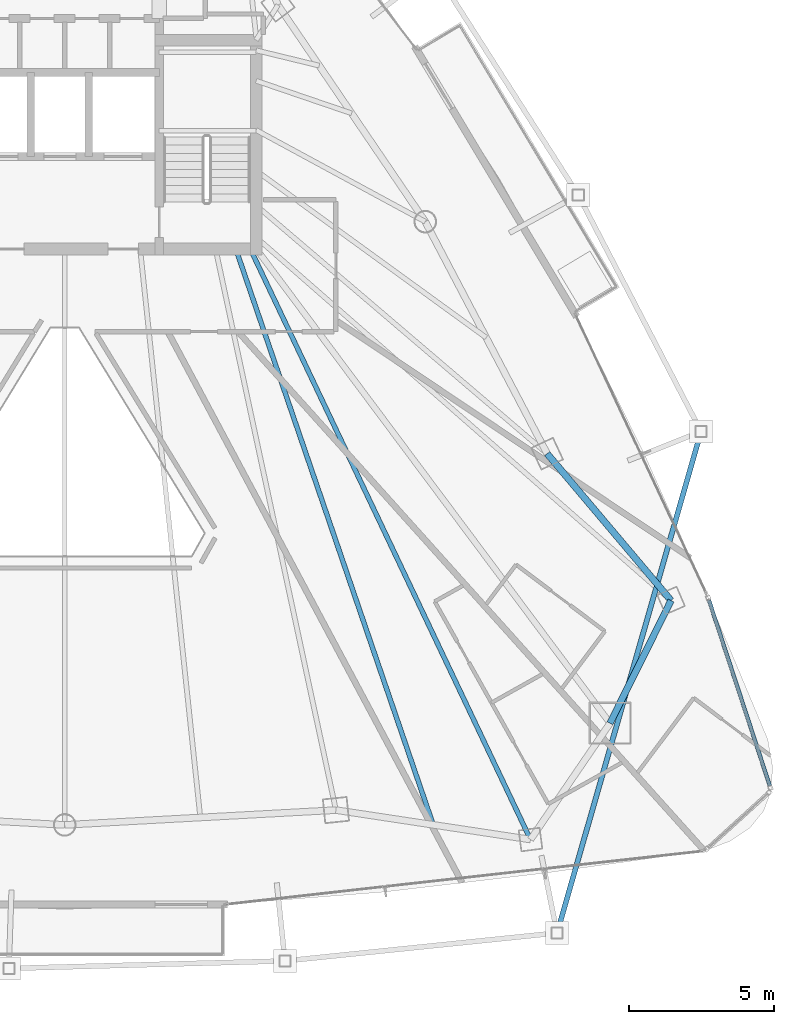
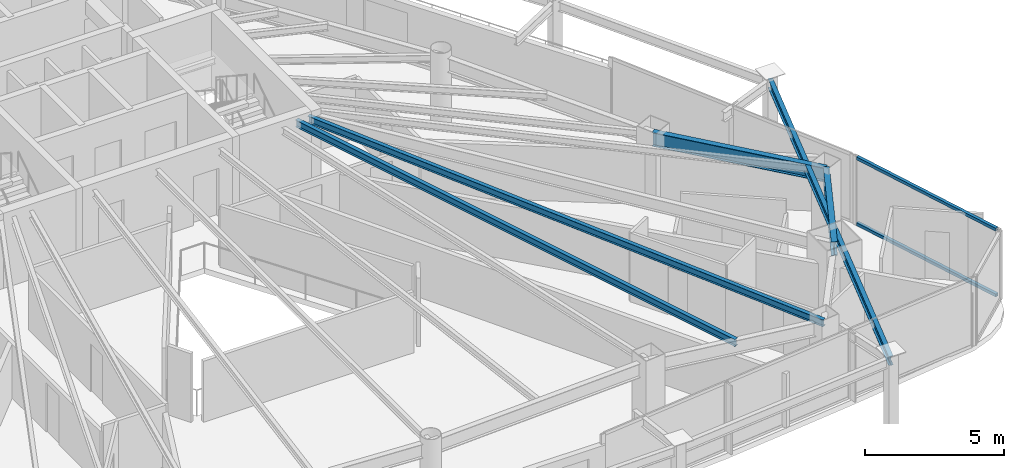
# One storey, part 16 of 31: 5 beams, 2 members, 1 element without a shape of its own.
"""IFC4 building model written with IfcOpenShell, lengths in metres."""

from ifc_helpers import new_model, si_unit, direction, frame, origin, origin_2d, place, context, subcontext, project, spatial, hollow_rectangle, i_section, extrude, material, layer, layer_set, material_profile, profile_set, type_object, element, aggregate, save


model = new_model("IFC4")

# Units and contexts
model_context = context("Model", 3, precision=1e-05, world=origin(), true_north=direction((0.0, 1.0)))
body_context = subcontext(model_context, "Body", "Model", "MODEL_VIEW")
ifc_project = project(units=[si_unit("LENGTHUNIT", "METRE"), si_unit("AREAUNIT", "SQUARE_METRE"), si_unit("VOLUMEUNIT", "CUBIC_METRE"), si_unit("PLANEANGLEUNIT", "RADIAN"), si_unit("MASSUNIT", "GRAM", prefix="KILO")], contexts=[model_context])

# Site, building, storey
site_placement = place(None, origin())
site = spatial("IfcSite", under=ifc_project, at=site_placement, CompositionType="ELEMENT")
building_placement = place(site_placement, origin())
building = spatial("IfcBuilding", under=site, at=building_placement, Name="Orvanel Arch Residences", CompositionType="ELEMENT")
storey_placement = place(building_placement, frame((0.0, 0.0, 183.64990234375)))
storey = spatial("IfcBuildingStorey", under=building, at=storey_placement, Name="L52", CompositionType="ELEMENT", Elevation=183.64990234375)

# Beams
ifc_material_1 = material(Name="Structural steel AS/NZS 3679.1 Grade 300 (300 MPa)", Category="steel")
ifc_material_profile_1 = material_profile(ifc_material_1, i_section(OverallWidth=0.1650390625, OverallDepth=0.303955078125, WebThickness=0.006103515625, FlangeThickness=0.01025390625, at=origin_2d()), Name="310UB40.4")
ifc_profile_set_1 = profile_set([ifc_material_profile_1], Name="Structural steel AS/NZS 3679.1 Grade 300 (300 MPa)")
beam_type_1 = type_object("IfcBeamType", Name="BJ-310UB", PredefinedType="JOIST", material=ifc_profile_set_1)
beam_1_placement = place(storey_placement, frame((39.39990234375, 26.699951171875, 2.8681640625), z_axis=(0.428614365266, -0.903487534993, 0.0), x_axis=(0.903487534993, 0.428614365266, 0.0)))
element("IfcBeam", 1, at=beam_1_placement, inside=storey, type_object=beam_type_1, Name="L52 MSE Wing Floor Joist", PredefinedType="JOIST", context=body_context, shape_type="SweptSolid", body=[
    extrude(i_section(OverallWidth=0.1650390625, OverallDepth=0.303955078125, WebThickness=0.006103515625, FlangeThickness=0.01025390625, at=origin_2d()), origin(), (0.0, 0.0, 1.0), 22.535888671875),
])
beam_2_placement = place(storey_placement, frame((38.89990234375, 26.699951171875, 2.8681640625), z_axis=(0.324257108963, -0.945968988544, 0.0), x_axis=(0.945968988544, 0.324257108963, 0.0)))
element("IfcBeam", 2, at=beam_2_placement, inside=storey, type_object=beam_type_1, Name="L52 JADD2 Wing Floor Joist", PredefinedType="JOIST", context=body_context, shape_type="SweptSolid", body=[
    extrude(i_section(OverallWidth=0.1650390625, OverallDepth=0.303955078125, WebThickness=0.006103515625, FlangeThickness=0.01025390625, at=origin_2d()), origin(), (0.0, 0.0, 1.0), 20.987060546875),
])
ifc_material_profile_2 = material_profile(ifc_material_1, i_section(OverallWidth=0.177978515625, OverallDepth=0.406005859375, WebThickness=0.0078125, FlangeThickness=0.0126953125, at=origin_2d()), Name="410UB59.7")
ifc_profile_set_2 = profile_set([ifc_material_profile_2], Name="Structural steel AS/NZS 3679.1 Grade 300 (300 MPa)")
beam_type_2 = type_object("IfcBeamType", Name="OB-410UB-EXT", PredefinedType="SPANDREL", material=ifc_profile_set_2)
beam_3_placement = place(storey_placement, frame((49.97509765625, 3.118896484375, 2.817138671875), z_axis=(0.276025957266, 0.961150181249, 0.0), x_axis=(-0.961150181249, 0.276025957266, 0.0)))
element("IfcBeam", 3, at=beam_3_placement, inside=storey, type_object=beam_type_2, Name="L52 Outer Perimeter Floor Ring Beam 08", PredefinedType="SPANDREL", context=body_context, shape_type="SweptSolid", body=[
    extrude(i_section(OverallWidth=0.177978515625, OverallDepth=0.406005859375, WebThickness=0.0078125, FlangeThickness=0.0126953125, at=origin_2d()), origin(), (0.0, 0.0, 1.0), 17.98681640625),
])
ifc_material_profile_3 = material_profile(ifc_material_1, i_section(OverallWidth=0.22900390625, OverallDepth=0.612060546875, WebThickness=0.011962890625, FlangeThickness=0.01953125, at=origin_2d()), Name="610UB125")
ifc_profile_set_3 = profile_set([ifc_material_profile_3], Name="Structural steel AS/NZS 3679.1 Grade 300 (300 MPa)")
beam_type_3 = type_object("IfcBeamType", Name="SP-610UB", PredefinedType="SPANDREL", material=ifc_profile_set_3)
beam_4_placement = place(storey_placement, frame((51.801025390625, 10.35107421875, 2.714111328125), z_axis=(0.44543469453, 0.895314432425, 0.0), x_axis=(-0.895314432425, 0.44543469453, 0.0)))
element("IfcBeam", 4, at=beam_4_placement, inside=storey, type_object=beam_type_3, Name="L52 Perimeter Spandrel Beam 09", PredefinedType="SPANDREL", context=body_context, shape_type="SweptSolid", body=[
    extrude(i_section(OverallWidth=0.22900390625, OverallDepth=0.612060546875, WebThickness=0.011962890625, FlangeThickness=0.01953125, at=origin_2d()), origin(), (0.0, 0.0, 1.0), 4.723388671875),
])
beam_5_placement = place(storey_placement, frame((53.905029296875, 14.580078125, 2.714111328125), z_axis=(-0.644950329775, 0.764224490659, 0.0), x_axis=(-0.764224490659, -0.644950329775, 0.0)))
element("IfcBeam", 5, at=beam_5_placement, inside=storey, type_object=beam_type_3, Name="L52 Perimeter Spandrel Beam 10", PredefinedType="SPANDREL", context=body_context, shape_type="SweptSolid", body=[
    extrude(i_section(OverallWidth=0.22900390625, OverallDepth=0.612060546875, WebThickness=0.011962890625, FlangeThickness=0.01953125, at=origin_2d()), origin(), (0.0, 0.0, 1.0), 6.623779296875),
])

# Curtain wall, members
ifc_material_2 = material(Name="Bronze-anodised aluminium AA6063-T6", Category="aluminium")
ifc_layer = layer(ifc_material_2, 0.18994140625)
ifc_layer_set = layer_set([ifc_layer], Name="Bronze-anodised aluminium AA6063-T6")
curtain_wall_type = type_object("IfcCurtainWallType", Name="CW5-CRN-SYS", PredefinedType="NOTDEFINED", material=ifc_layer_set)
curtain_wall_placement = place(storey_placement, origin())
curtain_wall = element("IfcCurtainWall", 6, at=curtain_wall_placement, inside=storey, type_object=curtain_wall_type, Name="L52 CW5-CRN-SYS Unitised Curtain Wall", PredefinedType="NOTDEFINED")
ifc_material_profile_4 = material_profile(ifc_material_2, hollow_rectangle(XDim=0.1298828125, YDim=0.1298828125, WallThickness=0.00439453125, at=origin_2d()), Name="ALU130x130x4.5")
ifc_profile_set_4 = profile_set([ifc_material_profile_4], Name="Bronze-anodised aluminium AA6063-T6")
member_type = type_object("IfcMemberType", Name="TRN-130x130", PredefinedType="USERDEFINED", material=ifc_profile_set_4)
member_1_placement = place(storey_placement, frame((57.308349609375, 8.193603515625, 0.065185546875), z_axis=(-0.311462708749, 0.950258375948, 0.0), x_axis=(-0.950258375948, -0.311462708749, 0.0)))
member_1 = element("IfcMember", 7, at=member_1_placement, type_object=member_type, Name="CW-S5 transom 1.1", ObjectType="TRANSOM", PredefinedType="USERDEFINED", context=body_context, shape_type="SweptSolid", body=[
    extrude(hollow_rectangle(XDim=0.1298828125, YDim=0.1298828125, WallThickness=0.00439453125, at=origin_2d()), origin(), (0.0, 0.0, 1.0), 6.738037109375),
])
member_2_placement = place(storey_placement, frame((57.308349609375, 8.193603515625, 2.955078125), z_axis=(-0.311462708749, 0.950258375948, 0.0), x_axis=(-0.950258375948, -0.311462708749, 0.0)))
member_2 = element("IfcMember", 8, at=member_2_placement, type_object=member_type, Name="CW-S5 transom 1.2", ObjectType="TRANSOM", PredefinedType="USERDEFINED", context=body_context, shape_type="SweptSolid", body=[
    extrude(hollow_rectangle(XDim=0.1298828125, YDim=0.1298828125, WallThickness=0.00439453125, at=origin_2d()), origin(), (0.0, 0.0, 1.0), 6.738037109375),
])
aggregate(curtain_wall, [member_1, member_2])

save(model, "model.ifc")
